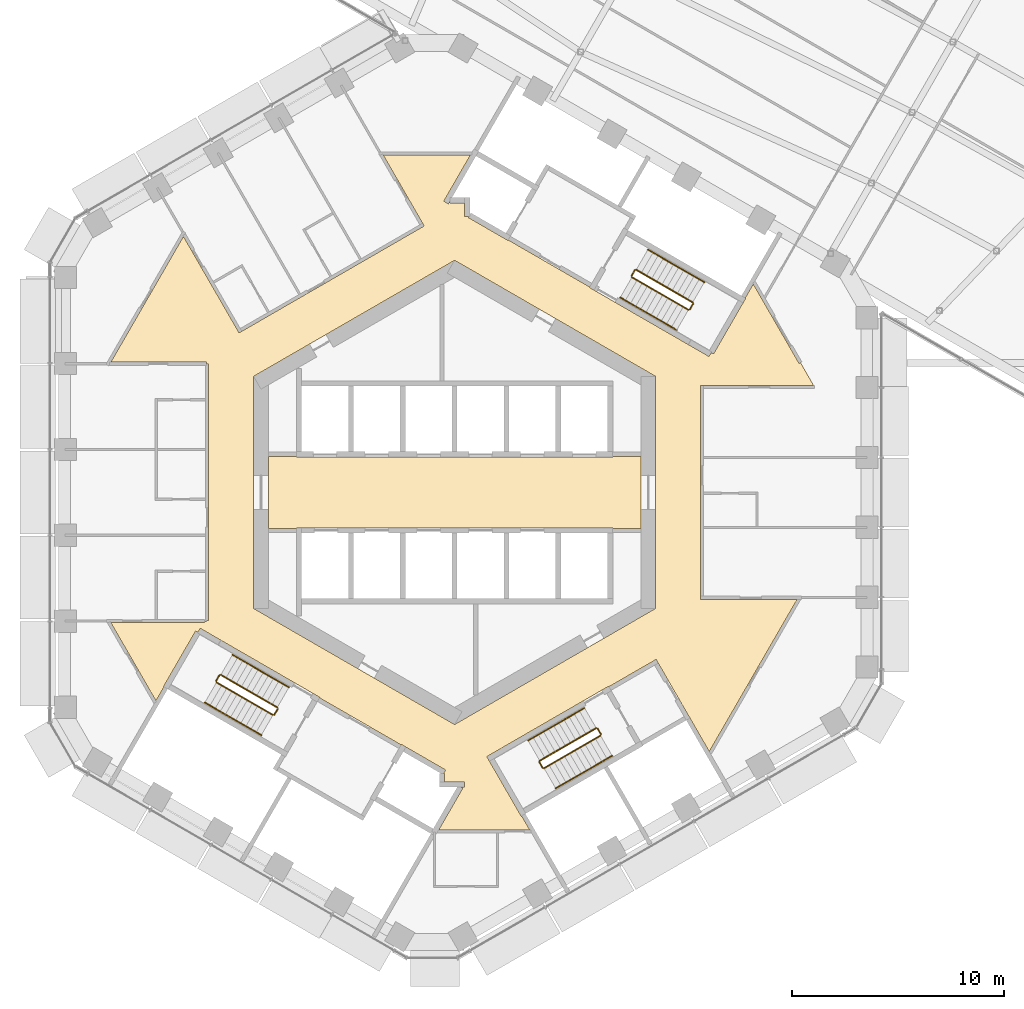
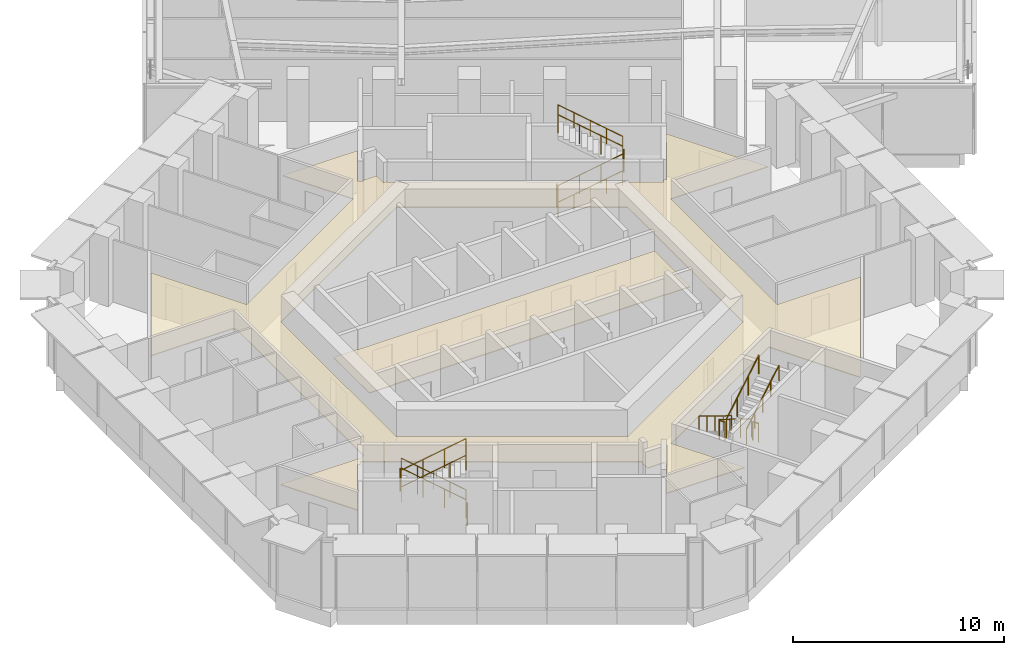
# One storey, part 27 of 28: 24 railings, 2 coverings.
"""IFC4 building model written with IfcOpenShell, lengths in metres."""

import ifcopenshell
import ifcopenshell.guid

model = None  # the IFC model being written
_history = None  # IfcOwnerHistory: only IFC2X3 demands one
_inside = {}  # id of a spatial element -> (the spatial element, [elements in it])
_under = {}  # id of a project, library or spatial element -> (it, [spatial elements below it])
_declared = {}  # id of a project -> (the project, [libraries it declares])
_typed = {}  # id of a type object -> (the type object, [elements of that type])
_made_of = {}  # id of a material, layer set ... -> (it, [elements and type objects made of it])


def new_model(schema):
    """Start an empty IFC model of exactly this schema.

    Asked for "IFC4X3", IfcOpenShell would pick the latest addendum, in which some entities
    have other attributes; the version numbers below select the first issue.
    IFC2X3 requires an IfcOwnerHistory on every rooted entity: one is made here for all.
    """
    global model, _history
    if schema == "IFC4X3":
        model = ifcopenshell.file(schema_version=(4, 3, 0, 0))
    else:
        model = ifcopenshell.file(schema=schema)
    _inside.clear()
    _under.clear()
    _declared.clear()
    _typed.clear()
    _made_of.clear()
    _history = None
    if model.schema == "IFC2X3":
        org = make("IfcOrganization", Name="unknown")
        user = make(
            "IfcPersonAndOrganization",
            ThePerson=make("IfcPerson", FamilyName="unknown"),
            TheOrganization=org,
        )
        app = make(
            "IfcApplication",
            ApplicationDeveloper=org,
            Version="unknown",
            ApplicationFullName="unknown",
            ApplicationIdentifier="unknown",
        )
        _history = make(
            "IfcOwnerHistory",
            OwningUser=user,
            OwningApplication=app,
            ChangeAction="ADDED",
            CreationDate=0,
        )
    return model


def make(cls, **values):
    """One entity of the class cls with the attributes given. An attribute that is None is left unset."""
    return model.create_entity(
        cls, **{name: value for name, value in values.items() if value is not None}
    )


def rooted(cls, **values):
    """An entity with a GlobalId (a new one), such as an element, a storey or a relation."""
    return make(cls, GlobalId=ifcopenshell.guid.new(), OwnerHistory=_history, **values)


def si_unit(unit_type, name, prefix=None):
    """IfcSIUnit, for example si_unit("LENGTHUNIT", "METRE", prefix="MILLI")."""
    return make("IfcSIUnit", UnitType=unit_type, Prefix=prefix, Name=name)


def assignment(units):
    """IfcUnitAssignment: the units of a project."""
    return None if units is None else make("IfcUnitAssignment", Units=units)


def point(xyz):
    """IfcCartesianPoint."""
    return None if xyz is None else make("IfcCartesianPoint", Coordinates=xyz)


def direction(xyz):
    """IfcDirection."""
    return None if xyz is None else make("IfcDirection", DirectionRatios=xyz)


def frame(location, z_axis=None, x_axis=None):
    """IfcAxis2Placement3D, a coordinate frame: its origin and axes. An axis left out is left unset."""
    return make(
        "IfcAxis2Placement3D",
        Location=point(location),
        Axis=direction(z_axis),
        RefDirection=direction(x_axis),
    )


def frame_2d(location, x_axis=None):
    """IfcAxis2Placement2D, a coordinate frame in the plane: its origin and x axis."""
    return make(
        "IfcAxis2Placement2D", Location=point(location), RefDirection=direction(x_axis)
    )


def origin():
    """The frame at (0, 0, 0) with its axes left unset."""
    return frame((0.0, 0.0, 0.0))


def origin_2d():
    """The frame at (0, 0) in the plane with its x axis left unset."""
    return frame_2d((0.0, 0.0))


def place(relative_to, where):
    """IfcLocalPlacement: puts the frame where relative to a parent placement (None: the world)."""
    return make(
        "IfcLocalPlacement", PlacementRelTo=relative_to, RelativePlacement=where
    )


def context(
    kind, dimensions, precision=None, world=None, true_north=None, identifier=None
):
    """IfcGeometricRepresentationContext, for example the 3D "Model" context."""
    return make(
        "IfcGeometricRepresentationContext",
        ContextIdentifier=identifier,
        ContextType=kind,
        CoordinateSpaceDimension=dimensions,
        Precision=precision,
        WorldCoordinateSystem=world,
        TrueNorth=true_north,
    )


def subcontext(parent, identifier, kind, view, scale=None):
    """IfcGeometricRepresentationSubContext, for example "Body" below "Model"."""
    return make(
        "IfcGeometricRepresentationSubContext",
        ContextIdentifier=identifier,
        ContextType=kind,
        ParentContext=parent,
        TargetScale=scale,
        TargetView=view,
    )


def project(units=None, contexts=None):
    """IfcProject with its units and contexts."""
    return rooted(
        "IfcProject",
        Name="project",
        RepresentationContexts=contexts,
        UnitsInContext=assignment(units),
    )


def spatial(cls, under=None, at=None, **own):
    """A site, building, storey or space (cls), placed at a placement, below another one or the project."""
    s = rooted(cls, ObjectPlacement=at, **own)
    if under is not None:
        _under.setdefault(under.id(), (under, []))[1].append(s)
    return s


def polyline(points):
    """IfcPolyline through the points."""
    return make("IfcPolyline", Points=[point(p) for p in points])


def profile(cls, at=None, kind="AREA", **sizes):
    """A parametric profile (cls). Its sizes go by their IFC names, for example OverallWidth=200.0."""
    return make(cls, ProfileType=kind, Position=at, **sizes)


def circle(**sizes):
    """IfcCircleProfileDef."""
    return profile("IfcCircleProfileDef", **sizes)


def outline(outer, holes=None, kind="AREA"):
    """IfcArbitraryClosedProfileDef: a profile drawn as a closed curve; with holes, ...WithVoids."""
    if holes is None:
        return make("IfcArbitraryClosedProfileDef", ProfileType=kind, OuterCurve=outer)
    return make(
        "IfcArbitraryProfileDefWithVoids",
        ProfileType=kind,
        OuterCurve=outer,
        InnerCurves=holes,
    )


def extrude(swept, where, along, depth):
    """IfcExtrudedAreaSolid: the profile swept, set in the frame where, extruded along a direction by depth."""
    return make(
        "IfcExtrudedAreaSolid",
        SweptArea=swept,
        Position=where,
        ExtrudedDirection=direction(along),
        Depth=depth,
    )


def shape(context_of_items, identifier, shape_type, items):
    """IfcShapeRepresentation: the items that make up one representation, for example the "Body"."""
    return make(
        "IfcShapeRepresentation",
        ContextOfItems=context_of_items,
        RepresentationIdentifier=identifier,
        RepresentationType=shape_type,
        Items=items,
    )


def material(Name=None, Category=None):
    """IfcMaterial."""
    return make("IfcMaterial", Name=Name, Category=Category)


def layer(
    of_material, thickness, ventilated=None, Name=None, Category=None, Priority=None
):
    """IfcMaterialLayer: one layer of a wall or slab, of a material (None: an air gap)."""
    return make(
        "IfcMaterialLayer",
        Material=of_material,
        LayerThickness=thickness,
        IsVentilated=ventilated,
        Name=Name,
        Category=Category,
        Priority=Priority,
    )


def layer_set(layers, Name=None):
    """IfcMaterialLayerSet."""
    return make("IfcMaterialLayerSet", MaterialLayers=layers, LayerSetName=Name)


def made_of(thing, what):
    """Note that an element or type object is made of a material, layer set ...; save() writes the relation."""
    if what is not None:
        _made_of.setdefault(what.id(), (what, []))[1].append(thing)
    return thing


def type_object(cls, material=None, **own):
    """A type object (cls), such as IfcWallType, which elements share."""
    return made_of(rooted(cls, **own), material)


def element(
    cls,
    number,
    at=None,
    inside=None,
    cuts=None,
    type_object=None,
    material=None,
    context=None,
    identifier="Body",
    shape_type=None,
    held_by="IfcProductDefinitionShape",
    body=None,
    shapes=None,
    **own,
):
    """One element of the class cls, such as IfcWall. Its Tag is "e" and its number.

    at: its placement. inside: the storey or other place that contains it. cuts: it is an
    opening in that element (IfcRelVoidsElement). A single representation is given by context,
    identifier, shape_type and body (its items); several are given by shapes. held_by: the class
    of the entity that holds the representations. save() writes the other relations.
    """
    e = rooted(cls, Tag="e%d" % number, ObjectPlacement=at, **own)
    if body is not None:
        shapes = [shape(context, identifier, shape_type, body)]
    if shapes is not None:
        e.Representation = make(held_by, Representations=shapes)
    if inside is not None:
        _inside.setdefault(inside.id(), (inside, []))[1].append(e)
    if cuts is not None:
        rooted(
            "IfcRelVoidsElement", RelatingBuildingElement=cuts, RelatedOpeningElement=e
        )
    if type_object is not None:
        _typed.setdefault(type_object.id(), (type_object, []))[1].append(e)
    return made_of(e, material)


def aggregate(whole, parts):
    """IfcRelAggregates: a whole, such as a stair, and the parts it consists of."""
    return rooted("IfcRelAggregates", RelatingObject=whole, RelatedObjects=parts)


def save(model, path):
    """Write the relations noted so far, then the file.

    IfcRelAggregates (storeys below a building ...), IfcRelContainedInSpatialStructure (elements
    in a storey), IfcRelDefinesByType, IfcRelAssociatesMaterial and IfcRelDeclares: one each for
    every whole, place, type object, material and project.
    """
    for whole, parts in _under.values():
        aggregate(whole, parts)
    for where, things in _inside.values():
        rooted(
            "IfcRelContainedInSpatialStructure",
            RelatedElements=things,
            RelatingStructure=where,
        )
    for kind, things in _typed.values():
        rooted("IfcRelDefinesByType", RelatedObjects=things, RelatingType=kind)
    for what, things in _made_of.values():
        rooted("IfcRelAssociatesMaterial", RelatedObjects=things, RelatingMaterial=what)
    for by, libraries in _declared.values():
        rooted("IfcRelDeclares", RelatingContext=by, RelatedDefinitions=libraries)
    model.write(path)


model = new_model("IFC4")

# Units and contexts
model_context = context("Model", 3, precision=1e-05, world=origin(), true_north=direction((0.0, 1.0)))
body_context = subcontext(model_context, "Body", "Model", "MODEL_VIEW")
ifc_project = project(units=[si_unit("LENGTHUNIT", "METRE"), si_unit("AREAUNIT", "SQUARE_METRE"), si_unit("VOLUMEUNIT", "CUBIC_METRE"), si_unit("PLANEANGLEUNIT", "RADIAN"), si_unit("MASSUNIT", "GRAM", prefix="KILO")], contexts=[model_context])

# Site, building, storey
site_placement = place(None, origin())
site = spatial("IfcSite", under=ifc_project, at=site_placement, CompositionType="ELEMENT")
building_placement = place(site_placement, origin())
building = spatial("IfcBuilding", under=site, at=building_placement, Name="Ayvan Gate Tower", CompositionType="ELEMENT")
storey_placement = place(building_placement, frame((0.0, 0.0, 143.89990234375)))
storey = spatial("IfcBuildingStorey", under=building, at=storey_placement, Name="L38", CompositionType="ELEMENT", Elevation=143.89990234375)

# Coverings
ifc_material_1 = material(Name="Plasterboard suspended ceiling")
ifc_layer = layer(ifc_material_1, 0.050048828125)
ifc_layer_set = layer_set([ifc_layer], Name="Plasterboard suspended ceiling")
covering_type = type_object("IfcCoveringType", Name="CT-SUSP-50", PredefinedType="CEILING", material=ifc_layer_set)
covering_1_placement = place(storey_placement, frame((0.0, 0.0, 2.400146484375)))
element("IfcCovering", 1, at=covering_1_placement, inside=storey, type_object=covering_type, Name="Ceiling Lift Lobby L38", PredefinedType="CEILING", context=body_context, shape_type="SweptSolid", body=[
    extrude(outline(polyline([(7.47509765625, -1.675048828125), (-7.47509765625, -1.675048828125), (-7.47509765625, -1.699951171875), (-8.800048828125, -1.699951171875), (-8.800048828125, 1.699951171875), (-7.47509765625, 1.699951171875), (-7.47509765625, 1.675048828125), (7.47509765625, 1.675048828125), (7.47509765625, 1.699951171875), (8.800048828125, 1.699951171875), (8.800048828125, -1.699951171875), (7.47509765625, -1.699951171875), (7.47509765625, -1.675048828125)])), origin(), (0.0, 0.0, 1.0), 0.050048828125),
])
covering_2_placement = place(storey_placement, frame((0.0, 0.0, 2.400146484375)))
element("IfcCovering", 2, at=covering_2_placement, inside=storey, type_object=covering_type, Name="Ceiling Ring Corridor L38", PredefinedType="CEILING", context=body_context, shape_type="SweptSolid", body=[
    extrude(outline(polyline([(-14.115234375, -9.84814453125), (-16.248291015625, -6.1533203125), (-11.866455078125, -6.1533203125), (-11.870849609375, -6.16064453125), (-11.85791015625, -6.1533203125), (-11.8232421875, -6.1533203125), (-11.8232421875, -6.13330078125), (-11.699951171875, -6.062255859375), (-11.625, -6.062255859375), (-11.625, 6.062255859375), (-11.699951171875, 6.062255859375), (-11.72802734375, 6.078369140625), (-11.72802734375, 6.1533203125), (-16.248291015625, 6.1533203125), (-12.81640625, 12.09765625), (-10.186279296875, 7.542236328125), (-10.07373046875, 7.607421875), (-1.438720703125, 12.5927734375), (-1.513671875, 12.72265625), (-3.3759765625, 15.9482421875), (0.74951171875, 15.9482421875), (-0.511474609375, 13.76416015625), (-0.294921875, 13.63916015625), (-0.215576171875, 13.776611328125), (-0.215576171875, 13.68505859375), (0.47509765625, 13.68505859375), (0.47509765625, 13.03857421875), (0.672119140625, 13.03857421875), (0.645751953125, 12.992919921875), (2.518310546875, 11.91162109375), (2.53076171875, 11.933349609375), (6.384521484375, 9.70849609375), (6.3720703125, 9.686767578125), (6.588623046875, 9.561767578125), (11.03759765625, 6.9931640625), (12.02294921875, 6.42431640625), (12.130126953125, 6.60986328125), (12.23828125, 6.54736328125), (13.631103515625, 8.959716796875), (13.756103515625, 9.176513671875), (13.734619140625, 9.188720703125), (14.115234375, 9.84814453125), (16.281005859375, 6.096923828125), (16.345947265625, 6.134521484375), (16.9716796875, 5.050537109375), (11.625, 5.050537109375), (11.625, -5.050537109375), (16.1923828125, -5.050537109375), (12.03662109375, -12.248291015625), (11.123779296875, -10.667236328125), (9.623779296875, -8.069091796875), (9.52392578125, -7.89599609375), (7.2939453125, -9.183349609375), (7.281494140625, -9.16162109375), (1.522216796875, -12.48681640625), (1.647216796875, -12.703369140625), (3.147216796875, -15.30126953125), (3.1689453125, -15.288818359375), (3.5498046875, -15.9482421875), (-0.74951171875, -15.9482421875), (0.386474609375, -13.980712890625), (0.30712890625, -13.93505859375), (0.465576171875, -13.93505859375), (0.465576171875, -13.68505859375), (-0.47509765625, -13.68505859375), (-0.47509765625, -13.28857421875), (-0.52783203125, -13.28857421875), (-0.42919921875, -13.117919921875), (-2.284423828125, -12.046630859375), (-2.518310546875, -11.91162109375), (-2.53076171875, -11.933349609375), (-6.384521484375, -9.70849609375), (-6.3720703125, -9.686767578125), (-11.03759765625, -6.9931640625), (-12.02294921875, -6.42431640625), (-12.130126953125, -6.60986328125), (-12.23828125, -6.54736328125), (-13.756103515625, -9.17626953125), (-13.734619140625, -9.188720703125), (-14.115234375, -9.84814453125)]), holes=[polyline([(-8.771728515625, -5.9052734375), (0.0, -10.9697265625), (8.38720703125, -6.127197265625), (8.771728515625, -5.9052734375), (9.5, -5.48486328125), (9.5, 5.48486328125), (8.771728515625, 5.9052734375), (0.0, 10.9697265625), (-8.771728515625, 5.9052734375), (-9.5, 5.48486328125), (-9.5, -5.48486328125), (-8.771728515625, -5.9052734375)])]), origin(), (0.0, 0.0, 1.0), 0.050048828125),
])

# Railings
ifc_material_2 = material(Name="Stainless steel balustrade", Category="steel")
railing_type_1 = type_object("IfcRailingType", Name="RL-GUARD-1100", PredefinedType="GUARDRAIL", material=ifc_material_2)
railing_1_placement = place(storey_placement, frame((8.381103515625, 10.16650390625, 0.166748046875)))
element("IfcRailing", 3, at=railing_1_placement, inside=storey, type_object=railing_type_1, Name="L38 STS1 stair guard 1", PredefinedType="GUARDRAIL", context=body_context, shape_type="SweptSolid", body=[
    extrude(circle(Radius=0.02392578125, at=origin_2d()), frame((0.0, 0.0, 1.076171875), z_axis=(0.744189839504, -0.429649414936, 0.511451721109), x_axis=(0.499992328818, 0.866029832698, 0.0)), (0.0, 0.0, 1.0), 3.58447265625),
    extrude(circle(Radius=0.02099609375, at=origin_2d()), origin(), (0.0, 0.0, 1.0), 1.052001953125),
    extrude(circle(Radius=0.02099609375, at=origin_2d()), frame((0.88916015625, -0.513427734375, 0.611083984375)), (0.0, 0.0, 1.0), 1.052001953125),
    extrude(circle(Radius=0.02099609375, at=origin_2d()), frame((1.7783203125, -1.026611328125, 1.22216796875)), (0.0, 0.0, 1.0), 1.052001953125),
    extrude(circle(Radius=0.02099609375, at=origin_2d()), frame((2.66748046875, -1.5400390625, 1.833251953125)), (0.0, 0.0, 1.0), 1.052001953125),
])
railing_2_placement = place(storey_placement, frame((11.11669921875, 8.644775390625, 2.0)))
element("IfcRailing", 4, at=railing_2_placement, inside=storey, type_object=railing_type_1, Name="L38 STS1 stair guard 2", PredefinedType="GUARDRAIL", context=body_context, shape_type="SweptSolid", body=[
    extrude(circle(Radius=0.02392578125, at=origin_2d()), frame((0.0, 0.0, 1.076171875), z_axis=(0.499949632511, 0.866054481515, 0.0), x_axis=(-0.866054481515, 0.499949632511, 0.0)), (0.0, 0.0, 1.0), 0.31005859375),
    extrude(circle(Radius=0.02099609375, at=origin_2d()), origin(), (0.0, 0.0, 1.0), 1.052001953125),
    extrude(circle(Radius=0.02099609375, at=origin_2d()), frame((0.155029296875, 0.2685546875, 0.0)), (0.0, 0.0, 1.0), 1.052001953125),
])
railing_3_placement = place(storey_placement, frame((11.25341796875, 8.981689453125, 2.166748046875)))
element("IfcRailing", 5, at=railing_3_placement, inside=storey, type_object=railing_type_1, Name="L38 STS1 stair guard 3", PredefinedType="GUARDRAIL", context=body_context, shape_type="SweptSolid", body=[
    extrude(circle(Radius=0.02392578125, at=origin_2d()), frame((0.0, 0.0, 1.076171875), z_axis=(-0.74418122563, 0.429615651263, 0.511492615401), x_axis=(-0.499967199496, -0.866044340336, 0.0)), (0.0, 0.0, 1.0), 3.584228515625),
    extrude(circle(Radius=0.02099609375, at=origin_2d()), origin(), (0.0, 0.0, 1.0), 1.052001953125),
    extrude(circle(Radius=0.02099609375, at=origin_2d()), frame((-0.88916015625, 0.51318359375, 0.611083984375)), (0.0, 0.0, 1.0), 1.052001953125),
    extrude(circle(Radius=0.02099609375, at=origin_2d()), frame((-1.778076171875, 1.026611328125, 1.22216796875)), (0.0, 0.0, 1.0), 1.052001953125),
    extrude(circle(Radius=0.02099609375, at=origin_2d()), frame((-2.667236328125, 1.539794921875, 1.833251953125)), (0.0, 0.0, 1.0), 1.052001953125),
])
railing_4_placement = place(storey_placement, frame((8.36279296875, 10.23486328125, 0.0)))
element("IfcRailing", 6, at=railing_4_placement, inside=storey, type_object=railing_type_1, Name="L38 STS1 stair guard 4", PredefinedType="GUARDRAIL", context=body_context, shape_type="SweptSolid", body=[
    extrude(circle(Radius=0.02392578125, at=origin_2d()), frame((0.0, 0.0, 1.076171875), z_axis=(0.500290723946, 0.86585748916, 0.0), x_axis=(-0.86585748916, 0.500290723946, 0.0)), (0.0, 0.0, 1.0), 0.309814453125),
    extrude(circle(Radius=0.02099609375, at=origin_2d()), origin(), (0.0, 0.0, 1.0), 1.052001953125),
    extrude(circle(Radius=0.02099609375, at=origin_2d()), frame((0.155029296875, 0.268310546875, 0.0)), (0.0, 0.0, 1.0), 1.052001953125),
])
railing_5_placement = place(storey_placement, frame((-8.381103515625, -10.16650390625, 0.166748046875)))
element("IfcRailing", 7, at=railing_5_placement, inside=storey, type_object=railing_type_1, Name="L38 STS2 stair guard 1", PredefinedType="GUARDRAIL", context=body_context, shape_type="SweptSolid", body=[
    extrude(circle(Radius=0.02392578125, at=origin_2d()), frame((0.0, 0.0, 1.076171875), z_axis=(-0.744189839504, 0.429649414936, 0.511451721109), x_axis=(-0.499992328818, -0.866029832698, 0.0)), (0.0, 0.0, 1.0), 3.58447265625),
    extrude(circle(Radius=0.02099609375, at=origin_2d()), origin(), (0.0, 0.0, 1.0), 1.052001953125),
    extrude(circle(Radius=0.02099609375, at=origin_2d()), frame((-0.88916015625, 0.513427734375, 0.611083984375)), (0.0, 0.0, 1.0), 1.052001953125),
    extrude(circle(Radius=0.02099609375, at=origin_2d()), frame((-1.7783203125, 1.026611328125, 1.22216796875)), (0.0, 0.0, 1.0), 1.052001953125),
    extrude(circle(Radius=0.02099609375, at=origin_2d()), frame((-2.66748046875, 1.5400390625, 1.833251953125)), (0.0, 0.0, 1.0), 1.052001953125),
])
railing_6_placement = place(storey_placement, frame((-11.11669921875, -8.644775390625, 2.0)))
element("IfcRailing", 8, at=railing_6_placement, inside=storey, type_object=railing_type_1, Name="L38 STS2 stair guard 2", PredefinedType="GUARDRAIL", context=body_context, shape_type="SweptSolid", body=[
    extrude(circle(Radius=0.02392578125, at=origin_2d()), frame((0.0, 0.0, 1.076171875), z_axis=(-0.499949632511, -0.866054481515, 0.0), x_axis=(0.866054481515, -0.499949632511, 0.0)), (0.0, 0.0, 1.0), 0.31005859375),
    extrude(circle(Radius=0.02099609375, at=origin_2d()), origin(), (0.0, 0.0, 1.0), 1.052001953125),
    extrude(circle(Radius=0.02099609375, at=origin_2d()), frame((-0.155029296875, -0.2685546875, 0.0)), (0.0, 0.0, 1.0), 1.052001953125),
])
railing_7_placement = place(storey_placement, frame((-11.25341796875, -8.981689453125, 2.166748046875)))
element("IfcRailing", 9, at=railing_7_placement, inside=storey, type_object=railing_type_1, Name="L38 STS2 stair guard 3", PredefinedType="GUARDRAIL", context=body_context, shape_type="SweptSolid", body=[
    extrude(circle(Radius=0.02392578125, at=origin_2d()), frame((0.0, 0.0, 1.076171875), z_axis=(0.74418122563, -0.429615651263, 0.511492615401), x_axis=(0.499967199496, 0.866044340336, 0.0)), (0.0, 0.0, 1.0), 3.584228515625),
    extrude(circle(Radius=0.02099609375, at=origin_2d()), origin(), (0.0, 0.0, 1.0), 1.052001953125),
    extrude(circle(Radius=0.02099609375, at=origin_2d()), frame((0.88916015625, -0.51318359375, 0.611083984375)), (0.0, 0.0, 1.0), 1.052001953125),
    extrude(circle(Radius=0.02099609375, at=origin_2d()), frame((1.778076171875, -1.026611328125, 1.22216796875)), (0.0, 0.0, 1.0), 1.052001953125),
    extrude(circle(Radius=0.02099609375, at=origin_2d()), frame((2.667236328125, -1.539794921875, 1.833251953125)), (0.0, 0.0, 1.0), 1.052001953125),
])
railing_8_placement = place(storey_placement, frame((-8.36279296875, -10.23486328125, 0.0)))
element("IfcRailing", 10, at=railing_8_placement, inside=storey, type_object=railing_type_1, Name="L38 STS2 stair guard 4", PredefinedType="GUARDRAIL", context=body_context, shape_type="SweptSolid", body=[
    extrude(circle(Radius=0.02392578125, at=origin_2d()), frame((0.0, 0.0, 1.076171875), z_axis=(-0.500290723946, -0.86585748916, 0.0), x_axis=(0.86585748916, -0.500290723946, 0.0)), (0.0, 0.0, 1.0), 0.309814453125),
    extrude(circle(Radius=0.02099609375, at=origin_2d()), origin(), (0.0, 0.0, 1.0), 1.052001953125),
    extrude(circle(Radius=0.02099609375, at=origin_2d()), frame((-0.155029296875, -0.268310546875, 0.0)), (0.0, 0.0, 1.0), 1.052001953125),
])
railing_9_placement = place(storey_placement, frame((6.6923828125, -11.1416015625, 0.166748046875)))
element("IfcRailing", 11, at=railing_9_placement, inside=storey, type_object=railing_type_1, Name="L38 STS3 stair guard 1", PredefinedType="GUARDRAIL", context=body_context, shape_type="SweptSolid", body=[
    extrude(circle(Radius=0.02392578125, at=origin_2d()), frame((0.0, 0.0, 1.076171875), z_axis=(-0.744211616859, -0.429593874019, 0.511466687808), x_axis=(0.499932877268, -0.866064153644, 0.0)), (0.0, 0.0, 1.0), 3.584228515625),
    extrude(circle(Radius=0.02099609375, at=origin_2d()), origin(), (0.0, 0.0, 1.0), 1.052001953125),
    extrude(circle(Radius=0.02099609375, at=origin_2d()), frame((-0.88916015625, -0.51318359375, 0.611083984375)), (0.0, 0.0, 1.0), 1.052001953125),
    extrude(circle(Radius=0.02099609375, at=origin_2d()), frame((-1.7783203125, -1.026611328125, 1.22216796875)), (0.0, 0.0, 1.0), 1.052001953125),
    extrude(circle(Radius=0.02099609375, at=origin_2d()), frame((-2.66748046875, -1.539794921875, 1.833251953125)), (0.0, 0.0, 1.0), 1.052001953125),
])
railing_10_placement = place(storey_placement, frame((4.006591796875, -12.749755859375, 2.0)))
element("IfcRailing", 12, at=railing_10_placement, inside=storey, type_object=railing_type_1, Name="L38 STS3 stair guard 2", PredefinedType="GUARDRAIL", context=body_context, shape_type="SweptSolid", body=[
    extrude(circle(Radius=0.02392578125, at=origin_2d()), frame((0.0, 0.0, 1.076171875), z_axis=(0.499949632511, -0.866054481515, 0.0), x_axis=(0.866054481515, 0.499949632511, 0.0)), (0.0, 0.0, 1.0), 0.31005859375),
    extrude(circle(Radius=0.02099609375, at=origin_2d()), origin(), (0.0, 0.0, 1.0), 1.052001953125),
    extrude(circle(Radius=0.02099609375, at=origin_2d()), frame((0.155029296875, -0.2685546875, 0.0)), (0.0, 0.0, 1.0), 1.052001953125),
])
railing_11_placement = place(storey_placement, frame((4.22998046875, -13.03662109375, 2.166748046875)))
element("IfcRailing", 13, at=railing_11_placement, inside=storey, type_object=railing_type_1, Name="L38 STS3 stair guard 3", PredefinedType="GUARDRAIL", context=body_context, shape_type="SweptSolid", body=[
    extrude(circle(Radius=0.02392578125, at=origin_2d()), frame((0.0, 0.0, 1.076171875), z_axis=(0.744189839504, 0.429649414936, 0.511451721109), x_axis=(-0.499992328818, 0.866029832698, 0.0)), (0.0, 0.0, 1.0), 3.58447265625),
    extrude(circle(Radius=0.02099609375, at=origin_2d()), origin(), (0.0, 0.0, 1.0), 1.052001953125),
    extrude(circle(Radius=0.02099609375, at=origin_2d()), frame((0.88916015625, 0.513427734375, 0.611083984375)), (0.0, 0.0, 1.0), 1.052001953125),
    extrude(circle(Radius=0.02099609375, at=origin_2d()), frame((1.7783203125, 1.026611328125, 1.22216796875)), (0.0, 0.0, 1.0), 1.052001953125),
    extrude(circle(Radius=0.02099609375, at=origin_2d()), frame((2.66748046875, 1.5400390625, 1.833251953125)), (0.0, 0.0, 1.0), 1.052001953125),
])
railing_12_placement = place(storey_placement, frame((6.7607421875, -11.159912109375, 0.0)))
element("IfcRailing", 14, at=railing_12_placement, inside=storey, type_object=railing_type_1, Name="L38 STS3 stair guard 4", PredefinedType="GUARDRAIL", context=body_context, shape_type="SweptSolid", body=[
    extrude(circle(Radius=0.02392578125, at=origin_2d()), frame((0.0, 0.0, 1.076171875), z_axis=(0.500290723946, -0.86585748916, 0.0), x_axis=(0.86585748916, 0.500290723946, 0.0)), (0.0, 0.0, 1.0), 0.309814453125),
    extrude(circle(Radius=0.02099609375, at=origin_2d()), origin(), (0.0, 0.0, 1.0), 1.052001953125),
    extrude(circle(Radius=0.02099609375, at=origin_2d()), frame((0.155029296875, -0.268310546875, 0.0)), (0.0, 0.0, 1.0), 1.052001953125),
])
railing_type_2 = type_object("IfcRailingType", Name="RL-HANDRAIL-900", PredefinedType="HANDRAIL", material=ifc_material_2)
railing_13_placement = place(storey_placement, frame((7.8310546875, 9.2138671875, 0.166748046875)))
element("IfcRailing", 15, at=railing_13_placement, inside=storey, type_object=railing_type_2, Name="L38 STS1 stair handrail 1", PredefinedType="HANDRAIL", context=body_context, shape_type="SweptSolid", body=[
    extrude(circle(Radius=0.02392578125, at=origin_2d()), frame((0.0, 0.0, 0.8759765625), z_axis=(0.7441639146, -0.429634447492, 0.511502013422), x_axis=(0.499992328818, 0.866029832698, 0.0)), (0.0, 0.0, 1.0), 1.792236328125),
    extrude(circle(Radius=0.02099609375, at=origin_2d()), origin(), (0.0, 0.0, 1.0), 0.851806640625),
    extrude(circle(Radius=0.02099609375, at=origin_2d()), frame((0.6669921875, -0.385009765625, 0.45849609375)), (0.0, 0.0, 1.0), 0.851806640625),
    extrude(circle(Radius=0.02099609375, at=origin_2d()), frame((1.333740234375, -0.77001953125, 0.916748046875)), (0.0, 0.0, 1.0), 0.851806640625),
])
railing_14_placement = place(storey_placement, frame((9.164794921875, 8.44384765625, 1.08349609375)))
element("IfcRailing", 16, at=railing_14_placement, inside=storey, type_object=railing_type_2, Name="L38 STS1 stair handrail 2", PredefinedType="HANDRAIL", context=body_context, shape_type="SweptSolid", body=[
    extrude(circle(Radius=0.02392578125, at=origin_2d()), frame((0.0, 0.0, 0.8759765625), z_axis=(0.744215763664, -0.42966438195, 0.511401423539), x_axis=(0.499992328818, 0.866029832698, 0.0)), (0.0, 0.0, 1.0), 1.792236328125),
    extrude(circle(Radius=0.02099609375, at=origin_2d()), origin(), (0.0, 0.0, 1.0), 0.851806640625),
    extrude(circle(Radius=0.02099609375, at=origin_2d()), frame((0.6669921875, -0.385009765625, 0.458251953125)), (0.0, 0.0, 1.0), 0.851806640625),
    extrude(circle(Radius=0.02099609375, at=origin_2d()), frame((1.333740234375, -0.77001953125, 0.91650390625)), (0.0, 0.0, 1.0), 0.851806640625),
])
railing_15_placement = place(storey_placement, frame((11.803466796875, 9.93408203125, 2.166748046875)))
element("IfcRailing", 17, at=railing_15_placement, inside=storey, type_object=railing_type_2, Name="L38 STS1 stair handrail 3", PredefinedType="HANDRAIL", context=body_context, shape_type="SweptSolid", body=[
    extrude(circle(Radius=0.02392578125, at=origin_2d()), frame((0.0, 0.0, 0.8759765625), z_axis=(-0.7441639146, 0.429634447492, 0.511502013422), x_axis=(-0.499992328818, -0.866029832698, 0.0)), (0.0, 0.0, 1.0), 1.792236328125),
    extrude(circle(Radius=0.02099609375, at=origin_2d()), origin(), (0.0, 0.0, 1.0), 0.851806640625),
    extrude(circle(Radius=0.02099609375, at=origin_2d()), frame((-0.6669921875, 0.385009765625, 0.45849609375)), (0.0, 0.0, 1.0), 0.851806640625),
    extrude(circle(Radius=0.02099609375, at=origin_2d()), frame((-1.333740234375, 0.77001953125, 0.916748046875)), (0.0, 0.0, 1.0), 0.851806640625),
])
railing_16_placement = place(storey_placement, frame((10.4697265625, 10.7041015625, 3.08349609375)))
element("IfcRailing", 18, at=railing_16_placement, inside=storey, type_object=railing_type_2, Name="L38 STS1 stair handrail 4", PredefinedType="HANDRAIL", context=body_context, shape_type="SweptSolid", body=[
    extrude(circle(Radius=0.02392578125, at=origin_2d()), frame((0.0, 0.0, 0.8759765625), z_axis=(-0.744215763664, 0.42966438195, 0.511401423539), x_axis=(-0.499992328818, -0.866029832698, 0.0)), (0.0, 0.0, 1.0), 1.792236328125),
    extrude(circle(Radius=0.02099609375, at=origin_2d()), origin(), (0.0, 0.0, 1.0), 0.851806640625),
    extrude(circle(Radius=0.02099609375, at=origin_2d()), frame((-0.6669921875, 0.385009765625, 0.458251953125)), (0.0, 0.0, 1.0), 0.851806640625),
    extrude(circle(Radius=0.02099609375, at=origin_2d()), frame((-1.333740234375, 0.77001953125, 0.91650390625)), (0.0, 0.0, 1.0), 0.851806640625),
])
railing_17_placement = place(storey_placement, frame((-7.8310546875, -9.2138671875, 0.166748046875)))
element("IfcRailing", 19, at=railing_17_placement, inside=storey, type_object=railing_type_2, Name="L38 STS2 stair handrail 1", PredefinedType="HANDRAIL", context=body_context, shape_type="SweptSolid", body=[
    extrude(circle(Radius=0.02392578125, at=origin_2d()), frame((0.0, 0.0, 0.8759765625), z_axis=(-0.7441639146, 0.429634447492, 0.511502013422), x_axis=(-0.499992328818, -0.866029832698, 0.0)), (0.0, 0.0, 1.0), 1.792236328125),
    extrude(circle(Radius=0.02099609375, at=origin_2d()), origin(), (0.0, 0.0, 1.0), 0.851806640625),
    extrude(circle(Radius=0.02099609375, at=origin_2d()), frame((-0.6669921875, 0.385009765625, 0.45849609375)), (0.0, 0.0, 1.0), 0.851806640625),
    extrude(circle(Radius=0.02099609375, at=origin_2d()), frame((-1.333740234375, 0.77001953125, 0.916748046875)), (0.0, 0.0, 1.0), 0.851806640625),
])
railing_18_placement = place(storey_placement, frame((-9.164794921875, -8.44384765625, 1.08349609375)))
element("IfcRailing", 20, at=railing_18_placement, inside=storey, type_object=railing_type_2, Name="L38 STS2 stair handrail 2", PredefinedType="HANDRAIL", context=body_context, shape_type="SweptSolid", body=[
    extrude(circle(Radius=0.02392578125, at=origin_2d()), frame((0.0, 0.0, 0.8759765625), z_axis=(-0.744215763664, 0.42966438195, 0.511401423539), x_axis=(-0.499992328818, -0.866029832698, 0.0)), (0.0, 0.0, 1.0), 1.792236328125),
    extrude(circle(Radius=0.02099609375, at=origin_2d()), origin(), (0.0, 0.0, 1.0), 0.851806640625),
    extrude(circle(Radius=0.02099609375, at=origin_2d()), frame((-0.6669921875, 0.385009765625, 0.458251953125)), (0.0, 0.0, 1.0), 0.851806640625),
    extrude(circle(Radius=0.02099609375, at=origin_2d()), frame((-1.333740234375, 0.77001953125, 0.91650390625)), (0.0, 0.0, 1.0), 0.851806640625),
])
railing_19_placement = place(storey_placement, frame((-11.803466796875, -9.93408203125, 2.166748046875)))
element("IfcRailing", 21, at=railing_19_placement, inside=storey, type_object=railing_type_2, Name="L38 STS2 stair handrail 3", PredefinedType="HANDRAIL", context=body_context, shape_type="SweptSolid", body=[
    extrude(circle(Radius=0.02392578125, at=origin_2d()), frame((0.0, 0.0, 0.8759765625), z_axis=(0.7441639146, -0.429634447492, 0.511502013422), x_axis=(0.499992328818, 0.866029832698, 0.0)), (0.0, 0.0, 1.0), 1.792236328125),
    extrude(circle(Radius=0.02099609375, at=origin_2d()), origin(), (0.0, 0.0, 1.0), 0.851806640625),
    extrude(circle(Radius=0.02099609375, at=origin_2d()), frame((0.6669921875, -0.385009765625, 0.45849609375)), (0.0, 0.0, 1.0), 0.851806640625),
    extrude(circle(Radius=0.02099609375, at=origin_2d()), frame((1.333740234375, -0.77001953125, 0.916748046875)), (0.0, 0.0, 1.0), 0.851806640625),
])
railing_20_placement = place(storey_placement, frame((-10.4697265625, -10.7041015625, 3.08349609375)))
element("IfcRailing", 22, at=railing_20_placement, inside=storey, type_object=railing_type_2, Name="L38 STS2 stair handrail 4", PredefinedType="HANDRAIL", context=body_context, shape_type="SweptSolid", body=[
    extrude(circle(Radius=0.02392578125, at=origin_2d()), frame((0.0, 0.0, 0.8759765625), z_axis=(0.744215763664, -0.42966438195, 0.511401423539), x_axis=(0.499992328818, 0.866029832698, 0.0)), (0.0, 0.0, 1.0), 1.792236328125),
    extrude(circle(Radius=0.02099609375, at=origin_2d()), origin(), (0.0, 0.0, 1.0), 0.851806640625),
    extrude(circle(Radius=0.02099609375, at=origin_2d()), frame((0.6669921875, -0.385009765625, 0.458251953125)), (0.0, 0.0, 1.0), 0.851806640625),
    extrude(circle(Radius=0.02099609375, at=origin_2d()), frame((1.333740234375, -0.77001953125, 0.91650390625)), (0.0, 0.0, 1.0), 0.851806640625),
])
railing_21_placement = place(storey_placement, frame((6.142333984375, -10.18896484375, 0.166748046875)))
element("IfcRailing", 23, at=railing_21_placement, inside=storey, type_object=railing_type_2, Name="L38 STS3 stair handrail 1", PredefinedType="HANDRAIL", context=body_context, shape_type="SweptSolid", body=[
    extrude(circle(Radius=0.02392578125, at=origin_2d()), frame((0.0, 0.0, 0.8759765625), z_axis=(-0.7441639146, -0.429634447492, 0.511502013422), x_axis=(0.499992328818, -0.866029832698, 0.0)), (0.0, 0.0, 1.0), 1.792236328125),
    extrude(circle(Radius=0.02099609375, at=origin_2d()), origin(), (0.0, 0.0, 1.0), 0.851806640625),
    extrude(circle(Radius=0.02099609375, at=origin_2d()), frame((-0.6669921875, -0.385009765625, 0.45849609375)), (0.0, 0.0, 1.0), 0.851806640625),
    extrude(circle(Radius=0.02099609375, at=origin_2d()), frame((-1.333740234375, -0.77001953125, 0.916748046875)), (0.0, 0.0, 1.0), 0.851806640625),
])
railing_22_placement = place(storey_placement, frame((4.80859375, -10.958984375, 1.08349609375)))
element("IfcRailing", 24, at=railing_22_placement, inside=storey, type_object=railing_type_2, Name="L38 STS3 stair handrail 2", PredefinedType="HANDRAIL", context=body_context, shape_type="SweptSolid", body=[
    extrude(circle(Radius=0.02392578125, at=origin_2d()), frame((0.0, 0.0, 0.8759765625), z_axis=(-0.744198540083, -0.429596850399, 0.511483214843), x_axis=(0.499942064311, -0.866058850386, 0.0)), (0.0, 0.0, 1.0), 1.791748046875),
    extrude(circle(Radius=0.02099609375, at=origin_2d()), origin(), (0.0, 0.0, 1.0), 0.851806640625),
    extrude(circle(Radius=0.02099609375, at=origin_2d()), frame((-0.666748046875, -0.384765625, 0.458251953125)), (0.0, 0.0, 1.0), 0.851806640625),
    extrude(circle(Radius=0.02099609375, at=origin_2d()), frame((-1.33349609375, -0.769775390625, 0.91650390625)), (0.0, 0.0, 1.0), 0.851806640625),
])
railing_23_placement = place(storey_placement, frame((4.780029296875, -13.9892578125, 2.166748046875)))
element("IfcRailing", 25, at=railing_23_placement, inside=storey, type_object=railing_type_2, Name="L38 STS3 stair handrail 3", PredefinedType="HANDRAIL", context=body_context, shape_type="SweptSolid", body=[
    extrude(circle(Radius=0.02392578125, at=origin_2d()), frame((0.0, 0.0, 0.8759765625), z_axis=(0.7441639146, 0.429634447492, 0.511502013422), x_axis=(-0.499992328818, 0.866029832698, 0.0)), (0.0, 0.0, 1.0), 1.792236328125),
    extrude(circle(Radius=0.02099609375, at=origin_2d()), origin(), (0.0, 0.0, 1.0), 0.851806640625),
    extrude(circle(Radius=0.02099609375, at=origin_2d()), frame((0.6669921875, 0.385009765625, 0.45849609375)), (0.0, 0.0, 1.0), 0.851806640625),
    extrude(circle(Radius=0.02099609375, at=origin_2d()), frame((1.333740234375, 0.77001953125, 0.916748046875)), (0.0, 0.0, 1.0), 0.851806640625),
])
railing_24_placement = place(storey_placement, frame((6.11376953125, -13.21923828125, 3.08349609375)))
element("IfcRailing", 26, at=railing_24_placement, inside=storey, type_object=railing_type_2, Name="L38 STS3 stair handrail 4", PredefinedType="HANDRAIL", context=body_context, shape_type="SweptSolid", body=[
    extrude(circle(Radius=0.02392578125, at=origin_2d()), frame((0.0, 0.0, 0.8759765625), z_axis=(0.744154977086, 0.429707945391, 0.511453274255), x_axis=(-0.500060979923, 0.865990194147, 0.0)), (0.0, 0.0, 1.0), 1.7919921875),
    extrude(circle(Radius=0.02099609375, at=origin_2d()), origin(), (0.0, 0.0, 1.0), 0.851806640625),
    extrude(circle(Radius=0.02099609375, at=origin_2d()), frame((0.666748046875, 0.385009765625, 0.458251953125)), (0.0, 0.0, 1.0), 0.851806640625),
    extrude(circle(Radius=0.02099609375, at=origin_2d()), frame((1.33349609375, 0.77001953125, 0.91650390625)), (0.0, 0.0, 1.0), 0.851806640625),
])

save(model, "model.ifc")
